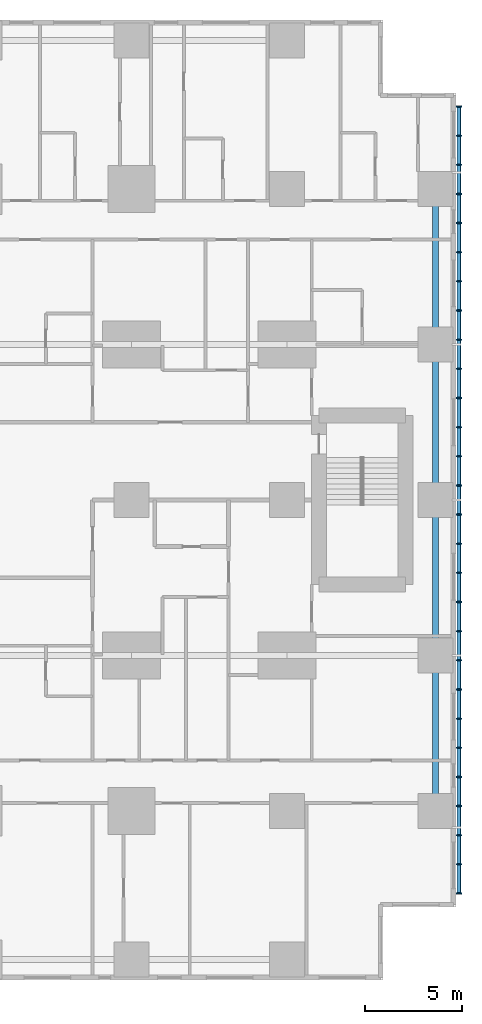
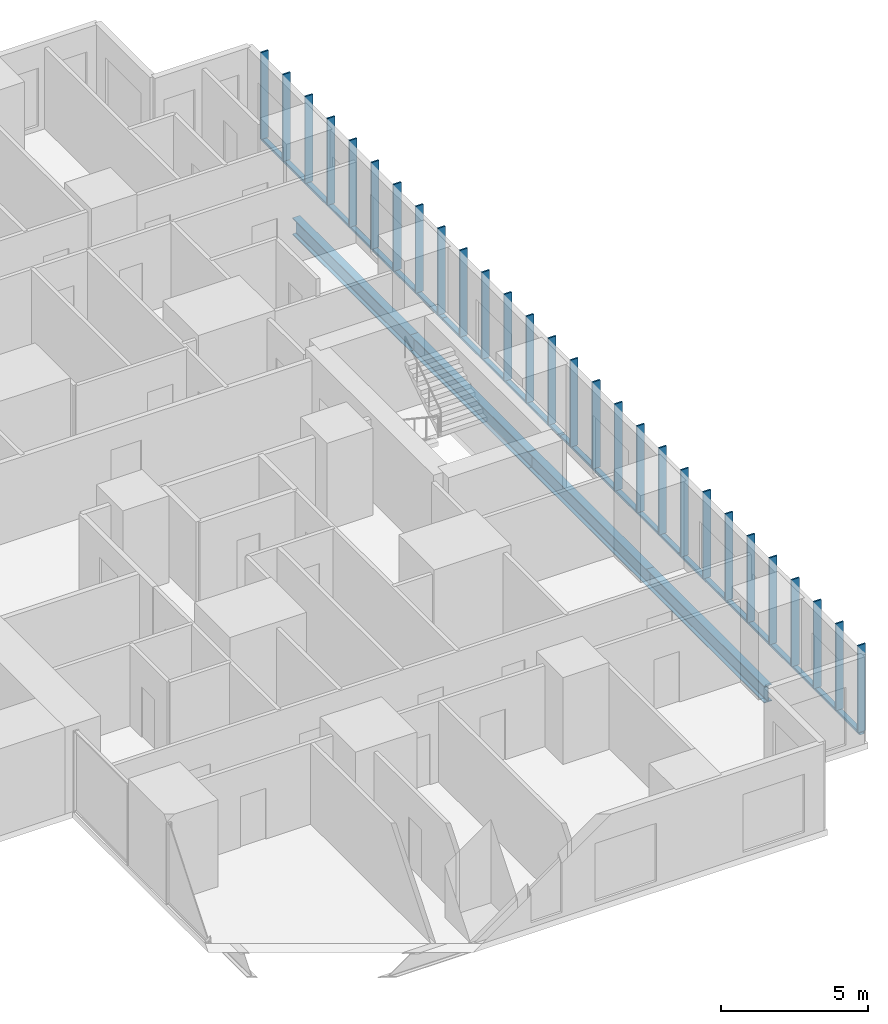
# One storey, part 6 of 20: 32 members, 4 beams.
"""IFC4 building model written with IfcOpenShell, lengths in metres."""

from ifc_helpers import new_model, si_unit, direction, frame, origin, origin_2d, place, context, subcontext, project, spatial, rectangle, hollow_rectangle, i_section, extrude, material, material_profile, profile_set, type_object, element, save


model = new_model("IFC4")

# Units and contexts
model_context = context("Model", 3, precision=1e-05, world=origin(), true_north=direction((0.0, 1.0)))
body_context = subcontext(model_context, "Body", "Model", "MODEL_VIEW")
ifc_project = project(units=[si_unit("LENGTHUNIT", "METRE"), si_unit("AREAUNIT", "SQUARE_METRE"), si_unit("VOLUMEUNIT", "CUBIC_METRE"), si_unit("PLANEANGLEUNIT", "RADIAN"), si_unit("MASSUNIT", "GRAM", prefix="KILO")], contexts=[model_context])

# Site, building, storey
site_placement = place(None, origin())
site = spatial("IfcSite", under=ifc_project, at=site_placement, CompositionType="ELEMENT")
building_placement = place(site_placement, origin())
building = spatial("IfcBuilding", under=site, at=building_placement, Name="Cleftline Residences", CompositionType="ELEMENT")
storey_placement = place(building_placement, frame((0.0, 0.0, 193.0)))
storey = spatial("IfcBuildingStorey", under=building, at=storey_placement, Name="L50", CompositionType="ELEMENT", Elevation=193.0)

# Members
ifc_material_1 = material(Name="Steel S355, hot-dip galvanised", Category="steel")
ifc_material_profile_1 = material_profile(ifc_material_1, hollow_rectangle(XDim=0.10009765625, YDim=0.199951171875, WallThickness=0.008056640625, InnerFilletRadius=0.008056640625, OuterFilletRadius=0.011962890625, at=origin_2d()))
ifc_profile_set_1 = profile_set([ifc_material_profile_1], Name="Steel S355, hot-dip galvanised")
member_type_1 = type_object("IfcMemberType", Name="BAGUETTE CARRIER RHS 200X100X8", PredefinedType="USERDEFINED", material=ifc_profile_set_1)
member_1_placement = place(storey_placement, frame((66.85009765625, 3.699951171875, -0.050048828125), z_axis=(0.0, 1.0, 0.0), x_axis=(0.0, 0.0, 1.0)))
element("IfcMember", 1, at=member_1_placement, inside=storey, type_object=member_type_1, Name="Baguette carrier", ObjectType="BAGUETTE CARRIER", PredefinedType="USERDEFINED", context=body_context, shape_type="SweptSolid", body=[
    extrude(hollow_rectangle(XDim=0.10009765625, YDim=0.199951171875, WallThickness=0.008056640625, InnerFilletRadius=0.008056640625, OuterFilletRadius=0.011962890625, at=origin_2d()), origin(), (0.0, 0.0, 1.0), 12.300048828125),
])
for number, where, z_axis, x_axis, name in (
    (2, (66.85009765625, 16.0, -0.050048828125), (0.0, 1.0, 0.0), (0.0, 0.0, 1.0), "Baguette carrier"),
    (3, (66.85009765625, 24.0, -0.050048828125), (0.0, 1.0, 0.0), (0.0, 0.0, 1.0), "Baguette carrier"),
):
    element("IfcMember", number, at=place(storey_placement, frame(where, z_axis=z_axis, x_axis=x_axis)), inside=storey, type_object=member_type_1, Name=name, ObjectType="BAGUETTE CARRIER", PredefinedType="USERDEFINED", context=body_context, shape_type="SweptSolid", body=[
        extrude(hollow_rectangle(XDim=0.10009765625, YDim=0.199951171875, WallThickness=0.008056640625, InnerFilletRadius=0.008056640625, OuterFilletRadius=0.011962890625, at=origin_2d()), origin(), (0.0, 0.0, 1.0), 8.0),
    ])
member_2_placement = place(storey_placement, frame((66.85009765625, 32.0, -0.050048828125), z_axis=(0.0, 1.0, 0.0), x_axis=(0.0, 0.0, 1.0)))
element("IfcMember", 4, at=member_2_placement, inside=storey, type_object=member_type_1, Name="Baguette carrier", ObjectType="BAGUETTE CARRIER", PredefinedType="USERDEFINED", context=body_context, shape_type="SweptSolid", body=[
    extrude(hollow_rectangle(XDim=0.10009765625, YDim=0.199951171875, WallThickness=0.008056640625, InnerFilletRadius=0.008056640625, OuterFilletRadius=0.011962890625, at=origin_2d()), origin(), (0.0, 0.0, 1.0), 12.300048828125),
])

# Beams
ifc_material_2 = material(Name="Steel S355", Category="steel")
ifc_material_profile_2 = material_profile(ifc_material_2, i_section(OverallWidth=0.300048828125, OverallDepth=0.699951171875, WebThickness=0.01708984375, FlangeThickness=0.031982421875, FilletRadius=0.027099609375, at=origin_2d()))
ifc_profile_set_2 = profile_set([ifc_material_profile_2], Name="Steel S355")
beam_type = type_object("IfcBeamType", Name="BEAM HEB 700", PredefinedType="BEAM", material=ifc_profile_set_2)
for number, where, z_axis, x_axis, name in (
    (5, (65.64990234375, 8.0, -0.60009765625), (0.0, 1.0, 0.0), (-1.0, 0.0, 0.0), "Edge beam"),
    (6, (65.64990234375, 16.0, -0.60009765625), (0.0, 1.0, 0.0), (-1.0, 0.0, 0.0), "Edge beam"),
    (7, (65.64990234375, 24.0, -0.60009765625), (0.0, 1.0, 0.0), (-1.0, 0.0, 0.0), "Edge beam"),
    (8, (65.64990234375, 32.0, -0.60009765625), (0.0, 1.0, 0.0), (-1.0, 0.0, 0.0), "Edge beam"),
):
    element("IfcBeam", number, at=place(storey_placement, frame(where, z_axis=z_axis, x_axis=x_axis)), inside=storey, type_object=beam_type, Name=name, PredefinedType="BEAM", context=body_context, shape_type="SweptSolid", body=[
        extrude(i_section(OverallWidth=0.300048828125, OverallDepth=0.699951171875, WebThickness=0.01708984375, FlangeThickness=0.031982421875, FilletRadius=0.027099609375, at=origin_2d()), origin(), (0.0, 0.0, 1.0), 8.0),
    ])

# Members
ifc_material_3 = material(Name="Extruded terracotta", Category="masonry")
ifc_material_profile_3 = material_profile(ifc_material_3, rectangle(XDim=0.06005859375, YDim=0.300048828125, at=origin_2d()))
ifc_profile_set_3 = profile_set([ifc_material_profile_3], Name="Extruded terracotta")
member_type_2 = type_object("IfcMemberType", Name="TERRACOTTA BAGUETTE 60X300", PredefinedType="USERDEFINED", material=ifc_profile_set_3)
for number, where, z_axis, x_axis, name in (
    (9, (66.85009765625, 3.75, 0.0), (0.0, 0.0, 1.0), (0.0, 1.0, 0.0), "Terracotta baguette"),
    (10, (66.85009765625, 5.25, 0.0), (0.0, 0.0, 1.0), (0.0, 1.0, 0.0), "Terracotta baguette"),
    (11, (66.85009765625, 6.75, 0.0), (0.0, 0.0, 1.0), (0.0, 1.0, 0.0), "Terracotta baguette"),
    (12, (66.85009765625, 8.25, 0.0), (0.0, 0.0, 1.0), (0.0, 1.0, 0.0), "Terracotta baguette"),
    (13, (66.85009765625, 9.75, 0.0), (0.0, 0.0, 1.0), (0.0, 1.0, 0.0), "Terracotta baguette"),
    (14, (66.85009765625, 11.25, 0.0), (0.0, 0.0, 1.0), (0.0, 1.0, 0.0), "Terracotta baguette"),
    (15, (66.85009765625, 12.75, 0.0), (0.0, 0.0, 1.0), (0.0, 1.0, 0.0), "Terracotta baguette"),
    (16, (66.85009765625, 14.25, 0.0), (0.0, 0.0, 1.0), (0.0, 1.0, 0.0), "Terracotta baguette"),
    (17, (66.85009765625, 15.75, 0.0), (0.0, 0.0, 1.0), (0.0, 1.0, 0.0), "Terracotta baguette"),
    (18, (66.85009765625, 17.25, 0.0), (0.0, 0.0, 1.0), (0.0, 1.0, 0.0), "Terracotta baguette"),
    (19, (66.85009765625, 18.75, 0.0), (0.0, 0.0, 1.0), (0.0, 1.0, 0.0), "Terracotta baguette"),
    (20, (66.85009765625, 20.25, 0.0), (0.0, 0.0, 1.0), (0.0, 1.0, 0.0), "Terracotta baguette"),
    (21, (66.85009765625, 21.75, 0.0), (0.0, 0.0, 1.0), (0.0, 1.0, 0.0), "Terracotta baguette"),
    (22, (66.85009765625, 23.25, 0.0), (0.0, 0.0, 1.0), (0.0, 1.0, 0.0), "Terracotta baguette"),
    (23, (66.85009765625, 24.75, 0.0), (0.0, 0.0, 1.0), (0.0, 1.0, 0.0), "Terracotta baguette"),
    (24, (66.85009765625, 26.25, 0.0), (0.0, 0.0, 1.0), (0.0, 1.0, 0.0), "Terracotta baguette"),
    (25, (66.85009765625, 27.75, 0.0), (0.0, 0.0, 1.0), (0.0, 1.0, 0.0), "Terracotta baguette"),
    (26, (66.85009765625, 29.25, 0.0), (0.0, 0.0, 1.0), (0.0, 1.0, 0.0), "Terracotta baguette"),
    (27, (66.85009765625, 30.75, 0.0), (0.0, 0.0, 1.0), (0.0, 1.0, 0.0), "Terracotta baguette"),
    (28, (66.85009765625, 32.25, 0.0), (0.0, 0.0, 1.0), (0.0, 1.0, 0.0), "Terracotta baguette"),
    (29, (66.85009765625, 33.75, 0.0), (0.0, 0.0, 1.0), (0.0, 1.0, 0.0), "Terracotta baguette"),
    (30, (66.85009765625, 35.25, 0.0), (0.0, 0.0, 1.0), (0.0, 1.0, 0.0), "Terracotta baguette"),
    (31, (66.85009765625, 36.75, 0.0), (0.0, 0.0, 1.0), (0.0, 1.0, 0.0), "Terracotta baguette"),
    (32, (66.85009765625, 38.25, 0.0), (0.0, 0.0, 1.0), (0.0, 1.0, 0.0), "Terracotta baguette"),
    (33, (66.85009765625, 39.75, 0.0), (0.0, 0.0, 1.0), (0.0, 1.0, 0.0), "Terracotta baguette"),
    (34, (66.85009765625, 41.25, 0.0), (0.0, 0.0, 1.0), (0.0, 1.0, 0.0), "Terracotta baguette"),
    (35, (66.85009765625, 42.75, 0.0), (0.0, 0.0, 1.0), (0.0, 1.0, 0.0), "Terracotta baguette"),
    (36, (66.85009765625, 44.25, 0.0), (0.0, 0.0, 1.0), (0.0, 1.0, 0.0), "Terracotta baguette"),
):
    element("IfcMember", number, at=place(storey_placement, frame(where, z_axis=z_axis, x_axis=x_axis)), inside=storey, type_object=member_type_2, Name=name, ObjectType="BAGUETTE", PredefinedType="USERDEFINED", context=body_context, shape_type="SweptSolid", body=[
        extrude(rectangle(XDim=0.06005859375, YDim=0.300048828125, at=origin_2d()), origin(), (0.0, 0.0, 1.0), 3.60009765625),
    ])

save(model, "model.ifc")
